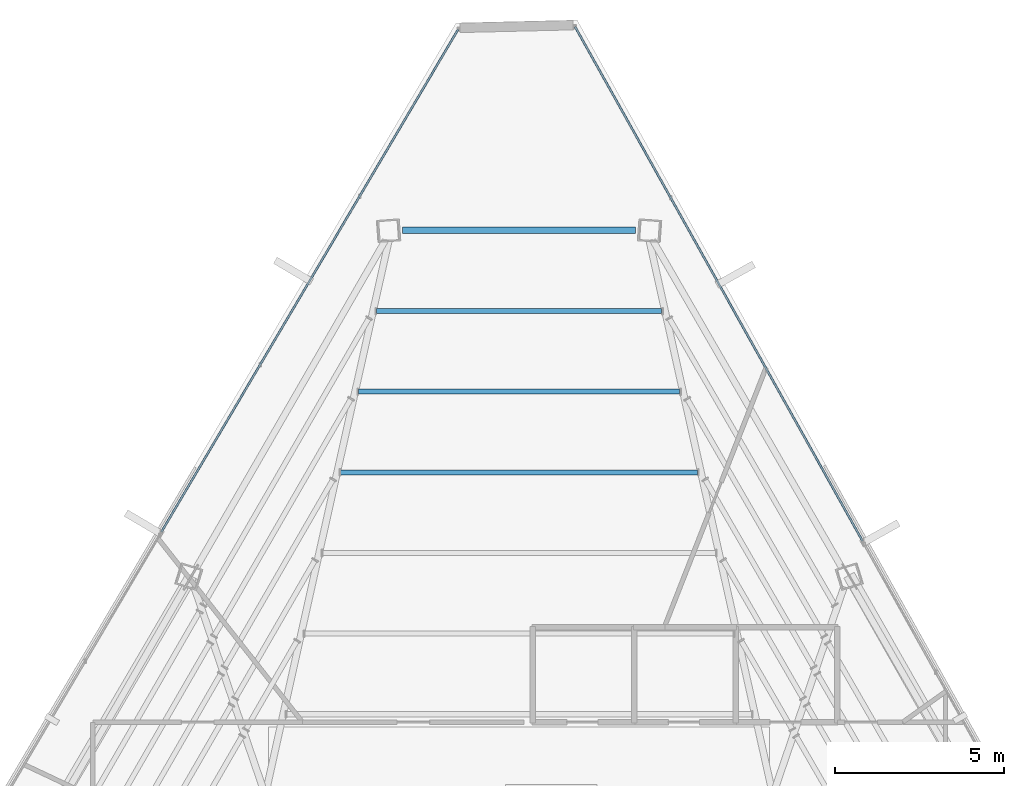
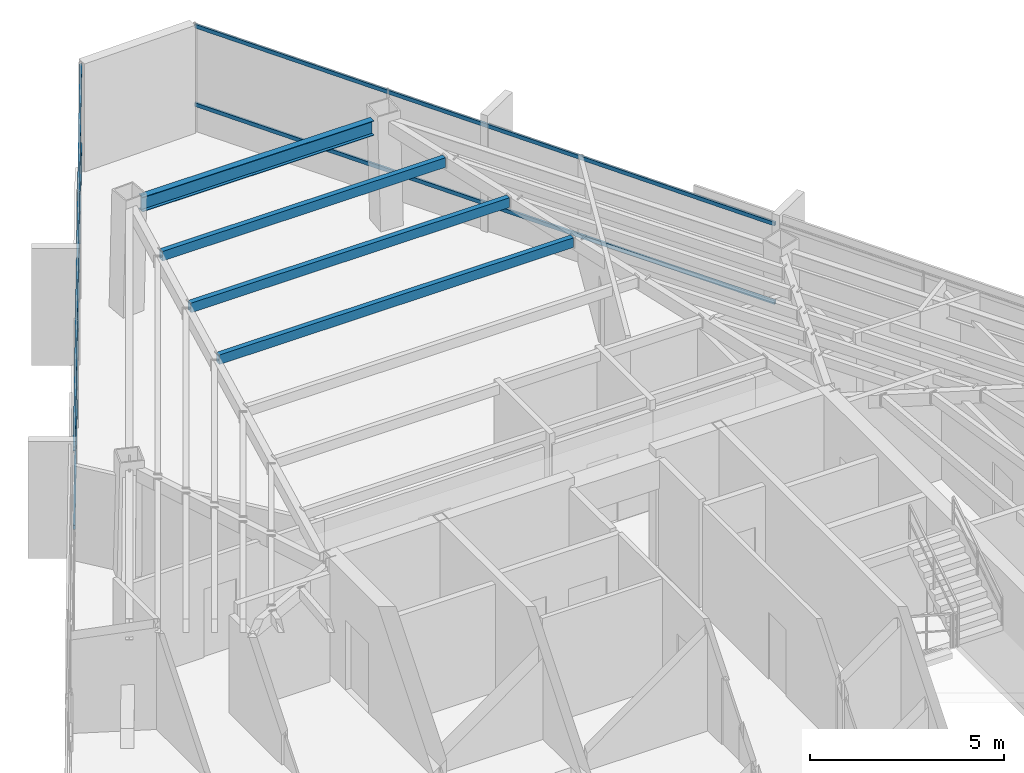
# One storey, part 32 of 47: 4 beams, 4 members, 2 elements without a shape of their own.
"""IFC4 building model written with IfcOpenShell, lengths in metres."""

from ifc_helpers import new_model, si_unit, direction, frame, origin, origin_2d, place, context, subcontext, project, spatial, hollow_rectangle, i_section, extrude, source, transform, mapped, material, material_profile, profile_set, type_object, type_shapes, element, aggregate, save


model = new_model("IFC4")

# Units and contexts
model_context = context("Model", 3, precision=1e-05, world=origin(), true_north=direction((0.0, 1.0)))
body_context = subcontext(model_context, "Body", "Model", "MODEL_VIEW")
ifc_project = project(units=[si_unit("LENGTHUNIT", "METRE"), si_unit("AREAUNIT", "SQUARE_METRE"), si_unit("VOLUMEUNIT", "CUBIC_METRE"), si_unit("PLANEANGLEUNIT", "RADIAN"), si_unit("MASSUNIT", "GRAM", prefix="KILO")], contexts=[model_context])

# Site, building, storey
site_placement = place(None, origin())
site = spatial("IfcSite", under=ifc_project, at=site_placement, CompositionType="ELEMENT")
building_placement = place(site_placement, origin())
building = spatial("IfcBuilding", under=site, at=building_placement, Name="Caelisora Broadcast Tower", CompositionType="ELEMENT")
storey_placement = place(building_placement, frame((0.0, 0.0, 255.39990234375)))
storey = spatial("IfcBuildingStorey", under=building, at=storey_placement, Name="L67", CompositionType="ELEMENT", Elevation=255.39990234375)

# Beams
ifc_material_1 = material(Name="Steel Grade 350 (AS/NZS 3679.1)", Category="steel")
ifc_material_profile_1 = material_profile(ifc_material_1, i_section(OverallWidth=0.19091796875, OverallDepth=0.46044921875, WebThickness=0.010009765625, FlangeThickness=0.01611328125, at=origin_2d()), Name="Steel Grade 350 (AS/NZS 3679.1)")
ifc_profile_set_1 = profile_set([ifc_material_profile_1], Name="Steel Grade 350 (AS/NZS 3679.1)")
beam_type_1 = type_object("IfcBeamType", Name="PG06", PredefinedType="BEAM", material=ifc_profile_set_1)
shared_shape_1 = source(origin(), body_context, "Body", "SweptSolid", [
    extrude(i_section(OverallWidth=0.19091796875, OverallDepth=0.46044921875, WebThickness=0.010009765625, FlangeThickness=0.01611328125, at=origin_2d()), origin(), (0.0, 0.0, 1.0), 6.88916015625),
])
type_shapes(beam_type_1, [shared_shape_1])
beam_1_placement = place(storey_placement, frame((41.444580078125, 46.67919921875, 3.169921875), z_axis=(-1.0, 0.0, 0.0), x_axis=(0.0, -1.0, 0.0)))
element("IfcBeam", 1, at=beam_1_placement, inside=storey, type_object=beam_type_1, Name="L67 beam PG06", PredefinedType="BEAM", context=body_context, shape_type="MappedRepresentation", body=[
    mapped(shared_shape_1, transform((0.0, 0.0, 0.0), scale=1.0)),
])
ifc_material_2 = material(Name="Steel Grade 350 (AS/NZS 1163 C350L0)", Category="steel")
ifc_material_profile_2 = material_profile(ifc_material_2, hollow_rectangle(XDim=0.14990234375, YDim=0.300048828125, WallThickness=0.010009765625, at=origin_2d()), Name="Steel Grade 350 (AS/NZS 1163 C350L0)")
ifc_profile_set_2 = profile_set([ifc_material_profile_2], Name="Steel Grade 350 (AS/NZS 1163 C350L0)")
beam_type_2 = type_object("IfcBeamType", Name="SB05", PredefinedType="JOIST", material=ifc_profile_set_2)
shared_shape_2 = source(origin(), body_context, "Body", "SweptSolid", [
    extrude(hollow_rectangle(XDim=0.14990234375, YDim=0.300048828125, WallThickness=0.010009765625, at=origin_2d()), origin(), (0.0, 0.0, 1.0), 10.552734375),
])
beam_2_placement = place(storey_placement, frame((43.2763671875, 39.531005859375, 3.25), z_axis=(-1.0, 0.0, 0.0), x_axis=(0.0, -1.0, 0.0)))
element("IfcBeam", 2, at=beam_2_placement, inside=storey, type_object=beam_type_2, Name="L67 beam SB05", PredefinedType="JOIST", context=body_context, shape_type="MappedRepresentation", body=[
    mapped(shared_shape_2, transform((0.0, 0.0, 0.0), scale=1.0)),
])
shared_shape_3 = source(origin(), body_context, "Body", "SweptSolid", [
    extrude(hollow_rectangle(XDim=0.14990234375, YDim=0.300048828125, WallThickness=0.010009765625, at=origin_2d()), origin(), (0.0, 0.0, 1.0), 9.49072265625),
])
beam_3_placement = place(storey_placement, frame((42.745361328125, 41.913818359375, 3.25), z_axis=(-1.0, 0.0, 0.0), x_axis=(0.0, -1.0, 0.0)))
element("IfcBeam", 3, at=beam_3_placement, inside=storey, type_object=beam_type_2, Name="L67 beam SB05", PredefinedType="JOIST", context=body_context, shape_type="MappedRepresentation", body=[
    mapped(shared_shape_3, transform((0.0, 0.0, 0.0), scale=1.0)),
])
shared_shape_4 = source(origin(), body_context, "Body", "SweptSolid", [
    extrude(hollow_rectangle(XDim=0.14990234375, YDim=0.300048828125, WallThickness=0.010009765625, at=origin_2d()), origin(), (0.0, 0.0, 1.0), 8.42822265625),
])
type_shapes(beam_type_2, [shared_shape_2, shared_shape_3, shared_shape_4])
beam_4_placement = place(storey_placement, frame((42.214111328125, 44.29638671875, 3.25), z_axis=(-1.0, 0.0, 0.0), x_axis=(0.0, -1.0, 0.0)))
element("IfcBeam", 4, at=beam_4_placement, inside=storey, type_object=beam_type_2, Name="L67 beam SB05", PredefinedType="JOIST", context=body_context, shape_type="MappedRepresentation", body=[
    mapped(shared_shape_4, transform((0.0, 0.0, 0.0), scale=1.0)),
])

# Curtain wall, members
ifc_material_3 = material(Name="Unitised Aluminium and Low-E Glass Curtain Wall", Category="glass")
curtain_wall_type = type_object("IfcCurtainWallType", Name="CW-Z5", PredefinedType="NOTDEFINED", material=ifc_material_3)
curtain_wall_1_placement = place(storey_placement, origin())
curtain_wall_1 = element("IfcCurtainWall", 5, at=curtain_wall_1_placement, inside=storey, type_object=curtain_wall_type, Name="L67 curtain wall CW-Z5", PredefinedType="NOTDEFINED")
ifc_material_4 = material(Name="Aluminium 6063-T6 Anodised Terracotta Bronze", Category="aluminium")
ifc_material_profile_3 = material_profile(ifc_material_4, hollow_rectangle(XDim=0.06005859375, YDim=0.1201171875, WallThickness=0.0029296875, at=origin_2d()), Name="Aluminium 6063-T6 Anodised Terracotta Bronze")
ifc_profile_set_3 = profile_set([ifc_material_profile_3], Name="Aluminium 6063-T6 Anodised Terracotta Bronze")
member_type = type_object("IfcMemberType", Name="CWT-03", PredefinedType="USERDEFINED", material=ifc_profile_set_3)
shared_shape_5 = source(origin(), body_context, "Body", "SweptSolid", [
    extrude(hollow_rectangle(XDim=0.06005859375, YDim=0.1201171875, WallThickness=0.0029296875, at=origin_2d()), origin(), (0.0, 0.0, 1.0), 17.413330078125),
])
member_1_placement = place(storey_placement, frame((39.65234375, 52.701416015625, 0.85009765625), z_axis=(0.487936362849, -0.872879204593, 0.0), x_axis=(0.872879204593, 0.487936362849, 0.0)))
member_1 = element("IfcMember", 6, at=member_1_placement, type_object=member_type, Name="L67-CW-B01 transom #1", ObjectType="TRANSOM", PredefinedType="USERDEFINED", context=body_context, shape_type="MappedRepresentation", body=[
    mapped(shared_shape_5, transform((0.0, 0.0, 0.0), scale=1.0)),
])
member_2_placement = place(storey_placement, frame((39.65234375, 52.701416015625, 3.320068359375), z_axis=(0.487936362849, -0.872879204593, 0.0), x_axis=(0.872879204593, 0.487936362849, 0.0)))
member_2 = element("IfcMember", 7, at=member_2_placement, type_object=member_type, Name="L67-CW-B01 transom #2", ObjectType="TRANSOM", PredefinedType="USERDEFINED", context=body_context, shape_type="MappedRepresentation", body=[
    mapped(shared_shape_5, transform((0.0, 0.0, 0.0), scale=1.0)),
])
aggregate(curtain_wall_1, [member_1, member_2])

curtain_wall_2_placement = place(storey_placement, origin())
curtain_wall_2 = element("IfcCurtainWall", 8, at=curtain_wall_2_placement, inside=storey, type_object=curtain_wall_type, Name="L67 curtain wall CW-Z5", PredefinedType="NOTDEFINED")
shared_shape_6 = source(origin(), body_context, "Body", "SweptSolid", [
    extrude(hollow_rectangle(XDim=0.06005859375, YDim=0.1201171875, WallThickness=0.0029296875, at=origin_2d()), origin(), (0.0, 0.0, 1.0), 17.244140625),
])
type_shapes(member_type, [shared_shape_5, shared_shape_6])
member_3_placement = place(storey_placement, frame((27.432861328125, 37.772216796875, 0.85009765625), z_axis=(0.508455493206, 0.861088271566, 0.0), x_axis=(-0.861088271566, 0.508455493206, 0.0)))
member_3 = element("IfcMember", 9, at=member_3_placement, type_object=member_type, Name="L67-CW-B11 transom #1", ObjectType="TRANSOM", PredefinedType="USERDEFINED", context=body_context, shape_type="MappedRepresentation", body=[
    mapped(shared_shape_6, transform((0.0, 0.0, 0.0), scale=1.0)),
])
member_4_placement = place(storey_placement, frame((27.432861328125, 37.772216796875, 3.320068359375), z_axis=(0.508455493206, 0.861088271566, 0.0), x_axis=(-0.861088271566, 0.508455493206, 0.0)))
member_4 = element("IfcMember", 10, at=member_4_placement, type_object=member_type, Name="L67-CW-B11 transom #2", ObjectType="TRANSOM", PredefinedType="USERDEFINED", context=body_context, shape_type="MappedRepresentation", body=[
    mapped(shared_shape_6, transform((0.0, 0.0, 0.0), scale=1.0)),
])
aggregate(curtain_wall_2, [member_3, member_4])

save(model, "model.ifc")
